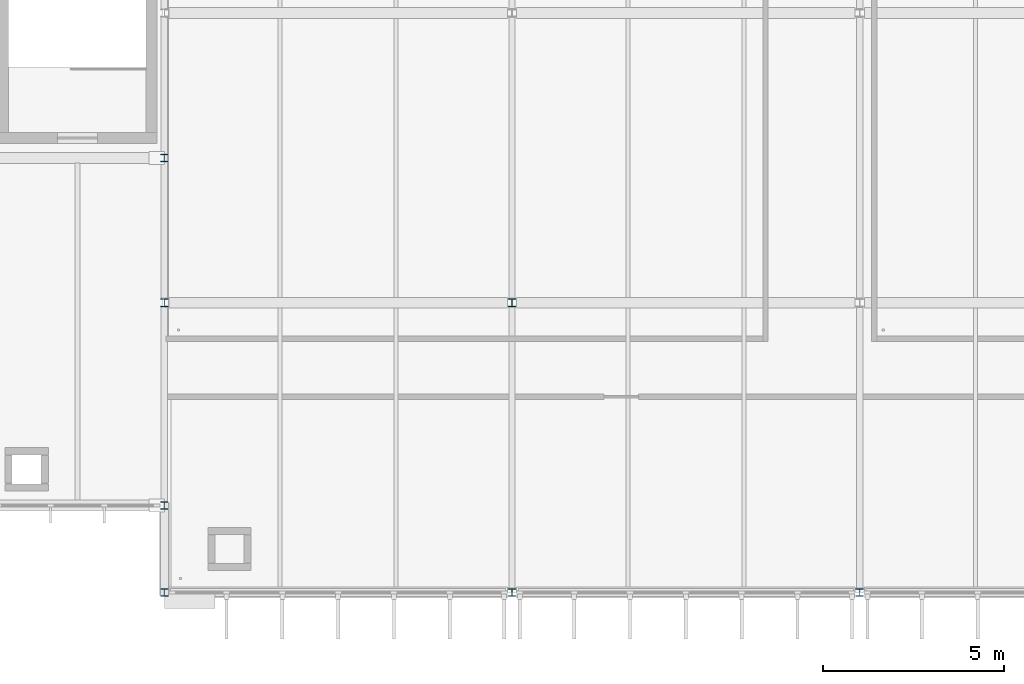
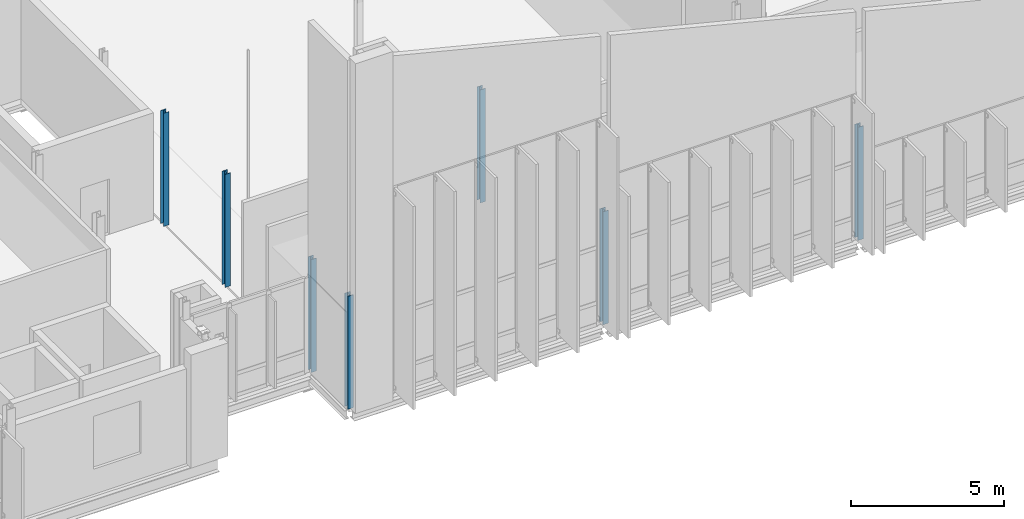
# One storey, part 12 of 110: 7 columns.
"""IFC4 building model written with IfcOpenShell, lengths in metres."""

from ifc_helpers import new_model, si_unit, direction, frame, origin, origin_2d, place, context, subcontext, project, spatial, i_section, extrude, material, material_profile, profile_set, type_object, element, save


model = new_model("IFC4")

# Units and contexts
model_context = context("Model", 3, precision=1e-05, world=origin(), true_north=direction((0.0, 1.0)))
body_context = subcontext(model_context, "Body", "Model", "MODEL_VIEW")
ifc_project = project(units=[si_unit("LENGTHUNIT", "METRE"), si_unit("AREAUNIT", "SQUARE_METRE"), si_unit("VOLUMEUNIT", "CUBIC_METRE"), si_unit("PLANEANGLEUNIT", "RADIAN"), si_unit("MASSUNIT", "GRAM", prefix="KILO")], contexts=[model_context])

# Site, building, storey
site_placement = place(None, origin())
site = spatial("IfcSite", under=ifc_project, at=site_placement, CompositionType="ELEMENT")
building_placement = place(site_placement, origin())
building = spatial("IfcBuilding", under=site, at=building_placement, Name="Dunescarp Central Library", CompositionType="ELEMENT")
storey_placement = place(building_placement, frame((0.0, 0.0, 9.60009765625)))
storey = spatial("IfcBuildingStorey", under=building, at=storey_placement, Name="L02", CompositionType="ELEMENT", Elevation=9.60009765625)

# Columns
ifc_material = material(Name="Steel S355JR", Category="steel")
ifc_material_profile_1 = material_profile(ifc_material, i_section(OverallWidth=0.20361328125, OverallDepth=0.203125, WebThickness=0.007080078125, FlangeThickness=0.010986328125, at=origin_2d()), Name="UC 203x203x46")
ifc_profile_set_1 = profile_set([ifc_material_profile_1], Name="Steel S355JR")
column_type_1 = type_object("IfcColumnType", Name="STR-COL-UC203X46", PredefinedType="COLUMN", material=ifc_profile_set_1)
for number, where, z_axis, x_axis, name in (
    (1, (129.60009765625, 7.199951171875, 0.0), (0.0, 0.0, 1.0), (1.0, 0.0, 0.0), "L02 column V5L-72"),
    (2, (129.60009765625, 16.800048828125, 0.0), (0.0, 0.0, 1.0), (1.0, 0.0, 0.0), "L02 column V5L-168"),
):
    element("IfcColumn", number, at=place(storey_placement, frame(where, z_axis=z_axis, x_axis=x_axis)), inside=storey, type_object=column_type_1, Name=name, PredefinedType="COLUMN", context=body_context, shape_type="SweptSolid", body=[
        extrude(i_section(OverallWidth=0.20361328125, OverallDepth=0.203125, WebThickness=0.007080078125, FlangeThickness=0.010986328125, at=origin_2d()), origin(), (0.0, 0.0, 1.0), 4.5),
    ])
ifc_material_profile_2 = material_profile(ifc_material, i_section(OverallWidth=0.206298828125, OverallDepth=0.2158203125, WebThickness=0.010009765625, FlangeThickness=0.017333984375, at=origin_2d()), Name="UC 203x203x71")
ifc_profile_set_2 = profile_set([ifc_material_profile_2], Name="Steel S355JR")
column_type_2 = type_object("IfcColumnType", Name="STR-COL-UC203X71", PredefinedType="COLUMN", material=ifc_profile_set_2)
for number, where, z_axis, x_axis, name in (
    (3, (129.60009765625, 4.800048828125, 0.0), (0.0, 0.0, 1.0), (1.0, 0.0, 0.0), "L02 column V5-1296-48"),
    (4, (129.60009765625, 12.800048828125, 0.0), (0.0, 0.0, 1.0), (1.0, 0.0, 0.0), "L02 column V5-1296-128"),
    (5, (139.199951171875, 4.800048828125, 0.0), (0.0, 0.0, 1.0), (1.0, 0.0, 0.0), "L02 column V5-1392-48"),
    (6, (139.199951171875, 12.800048828125, 0.0), (0.0, 0.0, 1.0), (1.0, 0.0, 0.0), "L02 column V5-1392-128"),
    (7, (148.800048828125, 4.800048828125, 0.0), (0.0, 0.0, 1.0), (1.0, 0.0, 0.0), "L02 column V5-1488-48"),
):
    element("IfcColumn", number, at=place(storey_placement, frame(where, z_axis=z_axis, x_axis=x_axis)), inside=storey, type_object=column_type_2, Name=name, PredefinedType="COLUMN", context=body_context, shape_type="SweptSolid", body=[
        extrude(i_section(OverallWidth=0.206298828125, OverallDepth=0.2158203125, WebThickness=0.010009765625, FlangeThickness=0.017333984375, at=origin_2d()), origin(), (0.0, 0.0, 1.0), 4.5),
    ])

save(model, "model.ifc")
